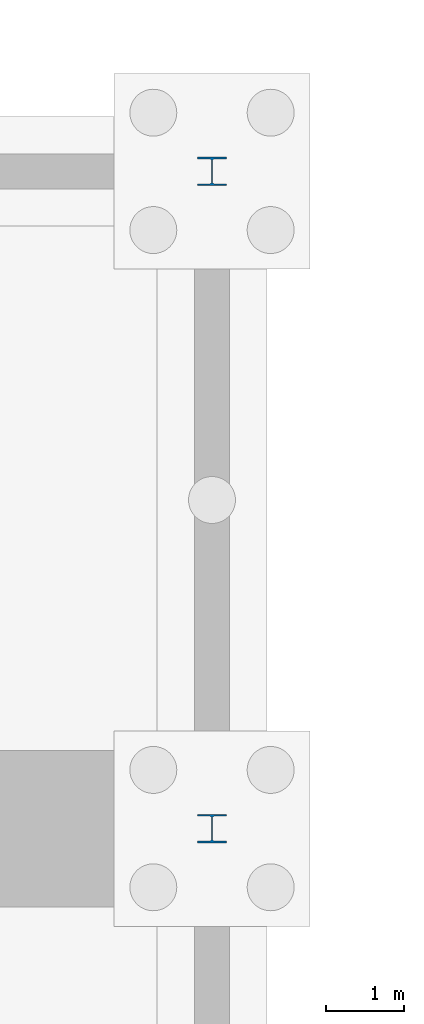
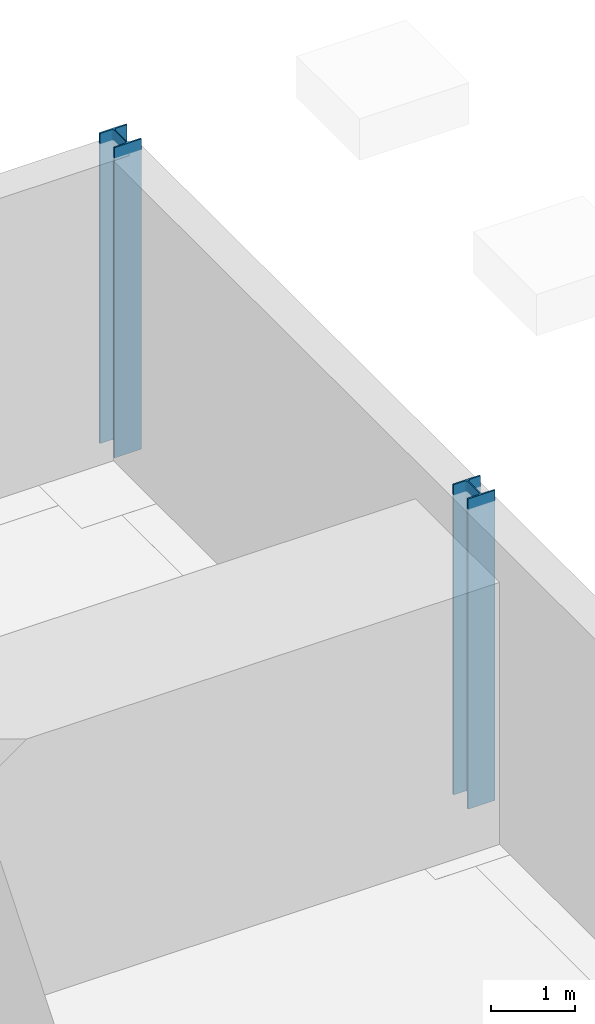
# One storey, part 16 of 35: 2 columns.
"""IFC4 building model written with IfcOpenShell, lengths in metres."""

from ifc_helpers import new_model, si_unit, direction, frame, origin, origin_2d, place, context, subcontext, project, spatial, i_section, extrude, material, material_profile, profile_set, type_object, element, save


model = new_model("IFC4")

# Units and contexts
model_context = context("Model", 3, precision=1e-05, world=origin(), true_north=direction((0.0, 1.0)))
body_context = subcontext(model_context, "Body", "Model", "MODEL_VIEW")
ifc_project = project(units=[si_unit("LENGTHUNIT", "METRE"), si_unit("AREAUNIT", "SQUARE_METRE"), si_unit("VOLUMEUNIT", "CUBIC_METRE"), si_unit("PLANEANGLEUNIT", "RADIAN"), si_unit("MASSUNIT", "GRAM", prefix="KILO")], contexts=[model_context])

# Site, building, storey
site_placement = place(None, origin())
site = spatial("IfcSite", under=ifc_project, at=site_placement, CompositionType="ELEMENT")
building_placement = place(site_placement, origin())
building = spatial("IfcBuilding", under=site, at=building_placement, Name="Ardhachandra Cancer Care Centre", CompositionType="ELEMENT")
storey_placement = place(building_placement, frame((0.0, 0.0, -4.5)))
storey = spatial("IfcBuildingStorey", under=building, at=storey_placement, Name="B1", CompositionType="ELEMENT", Elevation=-4.5)

# Columns
ifc_material = material(Name="Steel E350 (IS 2062)", Category="steel")
ifc_material_profile = material_profile(ifc_material, i_section(OverallWidth=0.37109375, OverallDepth=0.364013671875, WebThickness=0.01318359375, FlangeThickness=0.021728515625, FilletRadius=0.027099609375, at=origin_2d()), Name="WPB 360x370x165.34")
ifc_profile_set = profile_set([ifc_material_profile], Name="Steel E350 (IS 2062)")
column_type = type_object("IfcColumnType", Name="Column WPB 360x370x165.34", PredefinedType="COLUMN", material=ifc_profile_set)
for number, where, z_axis, x_axis, name in (
    (1, (145.199951171875, 96.60009765625, 0.0), (0.0, 0.0, 1.0), (1.0, 0.0, 0.0), "Column L17 B1"),
    (2, (145.199951171875, 105.0, 0.0), (0.0, 0.0, 1.0), (1.0, 0.0, 0.0), "Column M17 B1"),
):
    element("IfcColumn", number, at=place(storey_placement, frame(where, z_axis=z_axis, x_axis=x_axis)), inside=storey, type_object=column_type, Name=name, PredefinedType="COLUMN", context=body_context, shape_type="SweptSolid", body=[
        extrude(i_section(OverallWidth=0.37109375, OverallDepth=0.364013671875, WebThickness=0.01318359375, FlangeThickness=0.021728515625, FilletRadius=0.027099609375, at=origin_2d()), origin(), (0.0, 0.0, 1.0), 4.5),
    ])

save(model, "model.ifc")
